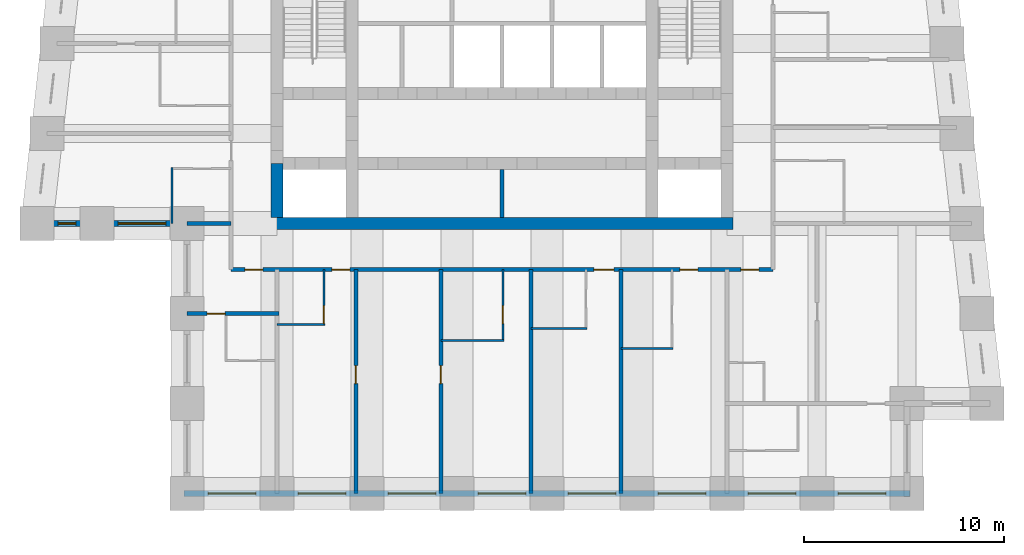
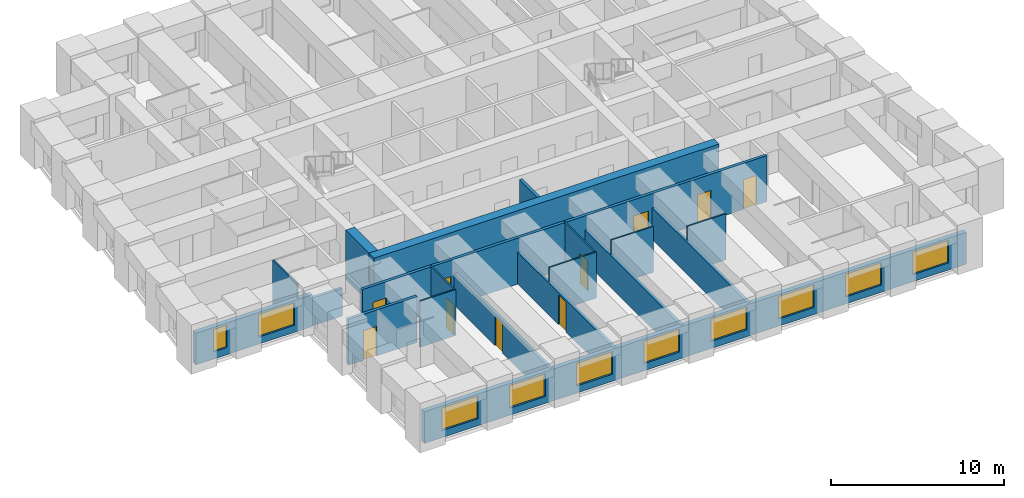
# One storey, part 2 of 8: 19 walls, 10 doors, 10 windows, 20 openings.
"""IFC4 building model written with IfcOpenShell, lengths in metres."""

from ifc_helpers import new_model, si_unit, direction, frame, frame_2d, origin, place, context, subcontext, project, spatial, rectangle, extrude, material, layer, layer_set, type_object, element, fill, save


model = new_model("IFC4")

# Units and contexts
model_context = context("Model", 3, precision=1e-05, world=origin(), true_north=direction((0.0, 1.0)))
body_context = subcontext(model_context, "Body", "Model", "MODEL_VIEW")
ifc_project = project(units=[si_unit("LENGTHUNIT", "METRE"), si_unit("AREAUNIT", "SQUARE_METRE"), si_unit("VOLUMEUNIT", "CUBIC_METRE"), si_unit("PLANEANGLEUNIT", "RADIAN"), si_unit("MASSUNIT", "GRAM", prefix="KILO")], contexts=[model_context])

# Site, building, storey
site_placement = place(None, origin())
site = spatial("IfcSite", under=ifc_project, at=site_placement, CompositionType="ELEMENT")
building_placement = place(site_placement, origin())
building = spatial("IfcBuilding", under=site, at=building_placement, Name="Kilele Tower Hotel", CompositionType="ELEMENT")
storey_placement = place(building_placement, frame((0.0, 0.0, 172.89990234375)))
storey = spatial("IfcBuildingStorey", under=building, at=storey_placement, Name="L44", CompositionType="ELEMENT", Elevation=172.89990234375)

# Wall
ifc_material_1 = material(Name="Moisture-resistant board")
ifc_layer_1 = layer(ifc_material_1, 0.10009765625)
ifc_layer_set_1 = layer_set([ifc_layer_1], Name="Moisture-resistant board")
wall_type_1 = type_object("IfcWallType", Name="Bathroom partition 100", PredefinedType="PLUMBINGWALL", material=ifc_layer_set_1)
wall_1_placement = place(storey_placement, frame((13.5, 8.449951171875, 0.0), z_axis=(0.0, 0.0, 1.0), x_axis=(1.0, 0.0, 0.0)))
element("IfcWall", 1, at=wall_1_placement, inside=storey, type_object=wall_type_1, Name="Bathroom partition 100 L44", PredefinedType="PLUMBINGWALL", context=body_context, shape_type="SweptSolid", body=[
    extrude(rectangle(XDim=2.39990234375, YDim=0.10009765625, at=frame_2d((1.199951171875, 0.0))), origin(), (0.0, 0.0, 1.0), 3.25),
])

# Wall, opening, door
wall_2_placement = place(storey_placement, frame((15.85009765625, 11.199951171875, 0.0), z_axis=(0.0, 0.0, 1.0), x_axis=(0.0, -1.0, 0.0)))
wall_2 = element("IfcWall", 2, at=wall_2_placement, inside=storey, type_object=wall_type_1, Name="Bathroom partition 100 L44", PredefinedType="PLUMBINGWALL", context=body_context, shape_type="SweptSolid", body=[
    extrude(rectangle(XDim=2.800048828125, YDim=0.10009765625, at=frame_2d((1.39990234375, 0.0))), origin(), (0.0, 0.0, 1.0), 3.25),
])
opening_1_placement = place(wall_2_placement, frame((1.800048828125, 0.0, 0.0)))
opening_1 = element("IfcOpeningElement", 3, at=opening_1_placement, cuts=wall_2, Name="Opening D2A", PredefinedType="OPENING", context=body_context, shape_type="SweptSolid", body=[
    extrude(rectangle(XDim=0.89990234375, YDim=2.10009765625, at=frame_2d((0.449951171875, 1.050048828125))), frame((0.0, 0.06005859375, 0.0), z_axis=(0.0, -1.0, 0.0), x_axis=(1.0, 0.0, 0.0)), (0.0, 0.0, 1.0), 0.1201171875),
])
ifc_material_2 = material(Name="Timber door leaf in hardwood frame", Category="wood")
door_type_1 = type_object("IfcDoorType", Name="Bathroom door 900", OperationType="SINGLE_SWING_LEFT", PredefinedType="DOOR", material=ifc_material_2)
door_1_placement = place(opening_1_placement, origin())
door_1 = element("IfcDoor", 4, at=door_1_placement, inside=storey, type_object=door_type_1, Name="Bathroom door 4401B", OperationType="SINGLE_SWING_RIGHT", OverallHeight=2.10009765625, OverallWidth=0.89990234375, PredefinedType="DOOR", context=body_context, shape_type="SweptSolid", body=[
    extrude(rectangle(XDim=0.89990234375, YDim=2.10009765625, at=frame_2d((0.449951171875, 1.050048828125))), frame((0.0, 0.02490234375, 0.0), z_axis=(0.0, -1.0, 0.0), x_axis=(1.0, 0.0, 0.0)), (0.0, 0.0, 1.0), 0.050048828125),
])
fill(opening_1, door_1)

# Wall
wall_3_placement = place(storey_placement, frame((21.699951171875, 7.64990234375, 0.0), z_axis=(0.0, 0.0, 1.0), x_axis=(1.0, 0.0, 0.0)))
element("IfcWall", 5, at=wall_3_placement, inside=storey, type_object=wall_type_1, Name="Bathroom partition 100 L44", PredefinedType="PLUMBINGWALL", context=body_context, shape_type="SweptSolid", body=[
    extrude(rectangle(XDim=3.150146484375, YDim=0.10009765625, at=frame_2d((1.5751953125, 0.0))), origin(), (0.0, 0.0, 1.0), 3.25),
])

# Wall, opening, door
wall_4_placement = place(storey_placement, frame((24.800048828125, 11.199951171875, 0.0), z_axis=(0.0, 0.0, 1.0), x_axis=(0.0, -1.0, 0.0)))
wall_4 = element("IfcWall", 6, at=wall_4_placement, inside=storey, type_object=wall_type_1, Name="Bathroom partition 100 L44", PredefinedType="PLUMBINGWALL", context=body_context, shape_type="SweptSolid", body=[
    extrude(rectangle(XDim=3.599853515625, YDim=0.10009765625, at=frame_2d((1.7998046875, 0.0))), origin(), (0.0, 0.0, 1.0), 3.25),
])
opening_2_placement = place(wall_4_placement, frame((1.800048828125, 0.0, 0.0)))
opening_2 = element("IfcOpeningElement", 7, at=opening_2_placement, cuts=wall_4, Name="Opening D2A", PredefinedType="OPENING", context=body_context, shape_type="SweptSolid", body=[
    extrude(rectangle(XDim=0.89990234375, YDim=2.10009765625, at=frame_2d((0.449951171875, 1.050048828125))), frame((0.0, 0.06005859375, 0.0), z_axis=(0.0, -1.0, 0.0), x_axis=(1.0, 0.0, 0.0)), (0.0, 0.0, 1.0), 0.1201171875),
])
door_2_placement = place(opening_2_placement, origin())
door_2 = element("IfcDoor", 8, at=door_2_placement, inside=storey, type_object=door_type_1, Name="Bathroom door 4403B", OperationType="SINGLE_SWING_RIGHT", OverallHeight=2.10009765625, OverallWidth=0.89990234375, PredefinedType="DOOR", context=body_context, shape_type="SweptSolid", body=[
    extrude(rectangle(XDim=0.89990234375, YDim=2.10009765625, at=frame_2d((0.449951171875, 1.050048828125))), frame((0.0, 0.02490234375, 0.0), z_axis=(0.0, -1.0, 0.0), x_axis=(1.0, 0.0, 0.0)), (0.0, 0.0, 1.0), 0.050048828125),
])
fill(opening_2, door_2)

# Walls
wall_5_placement = place(storey_placement, frame((26.199951171875, 8.25, 0.0), z_axis=(0.0, 0.0, 1.0), x_axis=(1.0, 0.0, 0.0)))
element("IfcWall", 9, at=wall_5_placement, inside=storey, type_object=wall_type_1, Name="Bathroom partition 100 L44", PredefinedType="PLUMBINGWALL", context=body_context, shape_type="SweptSolid", body=[
    extrude(rectangle(XDim=2.800048828125, YDim=0.10009765625, at=frame_2d((1.39990234375, 0.0))), origin(), (0.0, 0.0, 1.0), 3.25),
])
wall_6_placement = place(storey_placement, frame((30.699951171875, 7.25, 0.0), z_axis=(0.0, 0.0, 1.0), x_axis=(1.0, 0.0, 0.0)))
element("IfcWall", 10, at=wall_6_placement, inside=storey, type_object=wall_type_1, Name="Bathroom partition 100 L44", PredefinedType="PLUMBINGWALL", context=body_context, shape_type="SweptSolid", body=[
    extrude(rectangle(XDim=2.60009765625, YDim=0.10009765625, at=frame_2d((1.300048828125, 0.0))), origin(), (0.0, 0.0, 1.0), 3.25),
])
wall_7_placement = place(storey_placement, frame((8.25, 13.5, 0.0), z_axis=(0.0, 0.0, 1.0), x_axis=(0.0, 1.0, 0.0)))
element("IfcWall", 11, at=wall_7_placement, inside=storey, type_object=wall_type_1, Name="Bathroom partition 100 L44", PredefinedType="PLUMBINGWALL", context=body_context, shape_type="SweptSolid", body=[
    extrude(rectangle(XDim=2.800048828125, YDim=0.10009765625, at=frame_2d((1.39990234375, 0.0))), origin(), (0.0, 0.0, 1.0), 3.25),
])
ifc_material_3 = material(Name="Concrete C70/85", Category="concrete")
ifc_layer_2 = layer(ifc_material_3, 0.60009765625)
ifc_layer_set_2 = layer_set([ifc_layer_2], Name="Concrete C70/85")
wall_type_2 = type_object("IfcWallType", Name="Core wall 600 C70/85", PredefinedType="SHEAR", material=ifc_layer_set_2)
wall_8_placement = place(storey_placement, frame((13.199951171875, 13.5, 0.0), z_axis=(0.0, 0.0, 1.0), x_axis=(1.0, 0.0, 0.0)))
element("IfcWall", 12, at=wall_8_placement, inside=storey, type_object=wall_type_2, Name="Core wall S L44", PredefinedType="SHEAR", context=body_context, shape_type="SweptSolid", body=[
    extrude(rectangle(XDim=23.10009765625, YDim=0.60009765625, at=frame_2d((11.550048828125, 0.0))), origin(), (0.0, 0.0, 1.0), 3.5),
])
wall_9_placement = place(storey_placement, frame((13.5, 16.5, 0.0), z_axis=(0.0, 0.0, 1.0), x_axis=(0.0, -1.0, 0.0)))
element("IfcWall", 13, at=wall_9_placement, inside=storey, type_object=wall_type_2, Name="Core wall W3 L44", PredefinedType="SHEAR", context=body_context, shape_type="SweptSolid", body=[
    extrude(rectangle(XDim=2.699951171875, YDim=0.60009765625, at=frame_2d((1.35009765625, 0.0))), origin(), (0.0, 0.0, 1.0), 3.5),
])

# Wall, openings, doors
ifc_material_4 = material(Name="Blockwork, plastered both sides", Category="masonry")
ifc_layer_3 = layer(ifc_material_4, 0.199951171875)
ifc_layer_set_3 = layer_set([ifc_layer_3], Name="Blockwork, plastered both sides")
wall_type_3 = type_object("IfcWallType", Name="Corridor wall 200", PredefinedType="PARTITIONING", material=ifc_layer_set_3)
wall_10_placement = place(storey_placement, frame((11.199951171875, 11.199951171875, 0.0), z_axis=(0.0, 0.0, 1.0), x_axis=(1.0, 0.0, 0.0)))
wall_10 = element("IfcWall", 14, at=wall_10_placement, inside=storey, type_object=wall_type_3, Name="Corridor wall 200 L44", PredefinedType="PARTITIONING", context=body_context, shape_type="SweptSolid", body=[
    extrude(rectangle(XDim=27.10009765625, YDim=0.199951171875, at=frame_2d((13.550048828125, 0.0))), origin(), (0.0, 0.0, 1.0), 3.25),
])
opening_3_placement = place(wall_10_placement, frame((5.949951171875, 0.0, 0.0), z_axis=(0.0, 0.0, 1.0), x_axis=(-1.0, 0.0, 0.0)))
opening_3 = element("IfcOpeningElement", 15, at=opening_3_placement, cuts=wall_10, Name="Opening D1", PredefinedType="OPENING", context=body_context, shape_type="SweptSolid", body=[
    extrude(rectangle(XDim=0.89990234375, YDim=2.10009765625, at=frame_2d((0.449951171875, 1.050048828125))), frame((0.0, 0.10986328125, 0.0), z_axis=(0.0, -1.0, 0.0), x_axis=(1.0, 0.0, 0.0)), (0.0, 0.0, 1.0), 0.219970703125),
])
opening_4_placement = place(wall_10_placement, frame((19.14990234375, 0.0, 0.0), z_axis=(0.0, 0.0, 1.0), x_axis=(-1.0, 0.0, 0.0)))
opening_4 = element("IfcOpeningElement", 16, at=opening_4_placement, cuts=wall_10, Name="Opening D1A", PredefinedType="OPENING", context=body_context, shape_type="SweptSolid", body=[
    extrude(rectangle(XDim=1.0, YDim=2.10009765625, at=frame_2d((0.5, 1.050048828125))), frame((0.0, 0.10986328125, 0.0), z_axis=(0.0, -1.0, 0.0), x_axis=(1.0, 0.0, 0.0)), (0.0, 0.0, 1.0), 0.219970703125),
])
opening_5_placement = place(wall_10_placement, frame((23.349853515625, 0.0, 0.0), z_axis=(0.0, 0.0, 1.0), x_axis=(-1.0, 0.0, 0.0)))
opening_5 = element("IfcOpeningElement", 17, at=opening_5_placement, cuts=wall_10, Name="Opening D1", PredefinedType="OPENING", context=body_context, shape_type="SweptSolid", body=[
    extrude(rectangle(XDim=0.89990234375, YDim=2.10009765625, at=frame_2d((0.449951171875, 1.050048828125))), frame((0.0, 0.10986328125, 0.0), z_axis=(0.0, -1.0, 0.0), x_axis=(1.0, 0.0, 0.0)), (0.0, 0.0, 1.0), 0.219970703125),
])
opening_6_placement = place(wall_10_placement, frame((1.599853515625, 0.0, 0.0), z_axis=(0.0, 0.0, 1.0), x_axis=(-1.0, 0.0, 0.0)))
opening_6 = element("IfcOpeningElement", 18, at=opening_6_placement, cuts=wall_10, Name="Opening D1", PredefinedType="OPENING", context=body_context, shape_type="SweptSolid", body=[
    extrude(rectangle(XDim=0.89990234375, YDim=2.10009765625, at=frame_2d((0.449951171875, 1.050048828125))), frame((0.0, 0.10986328125, 0.0), z_axis=(0.0, -1.0, 0.0), x_axis=(1.0, 0.0, 0.0)), (0.0, 0.0, 1.0), 0.219970703125),
])
opening_7_placement = place(wall_10_placement, frame((26.39990234375, 0.0, 0.0), z_axis=(0.0, 0.0, 1.0), x_axis=(-1.0, 0.0, 0.0)))
opening_7 = element("IfcOpeningElement", 19, at=opening_7_placement, cuts=wall_10, Name="Opening D1", PredefinedType="OPENING", context=body_context, shape_type="SweptSolid", body=[
    extrude(rectangle(XDim=0.89990234375, YDim=2.10009765625, at=frame_2d((0.449951171875, 1.050048828125))), frame((0.0, 0.10986328125, 0.0), z_axis=(0.0, -1.0, 0.0), x_axis=(1.0, 0.0, 0.0)), (0.0, 0.0, 1.0), 0.219970703125),
])
ifc_material_5 = material(Name="Timber door leaf in hardwood frame", Category="wood")
door_type_2 = type_object("IfcDoorType", Name="Guest room entrance door 1000", OperationType="SINGLE_SWING_LEFT", PredefinedType="DOOR", material=ifc_material_5)
door_3_placement = place(opening_4_placement, origin())
door_3 = element("IfcDoor", 20, at=door_3_placement, inside=storey, type_object=door_type_2, Name="Room entrance 4404", OperationType="SINGLE_SWING_LEFT", OverallHeight=2.10009765625, OverallWidth=1.0, PredefinedType="DOOR", context=body_context, shape_type="SweptSolid", body=[
    extrude(rectangle(XDim=1.0, YDim=2.10009765625, at=frame_2d((0.5, 1.050048828125))), frame((0.0, 0.02490234375, 0.0), z_axis=(0.0, -1.0, 0.0), x_axis=(1.0, 0.0, 0.0)), (0.0, 0.0, 1.0), 0.050048828125),
])
fill(opening_4, door_3)
ifc_material_6 = material(Name="Timber door leaf in hardwood frame", Category="wood")
door_type_3 = type_object("IfcDoorType", Name="Guest room entrance door 900", OperationType="SINGLE_SWING_LEFT", PredefinedType="DOOR", material=ifc_material_6)
door_4_placement = place(opening_3_placement, origin())
door_4 = element("IfcDoor", 21, at=door_4_placement, inside=storey, type_object=door_type_3, Name="Room entrance 4401", OperationType="SINGLE_SWING_LEFT", OverallHeight=2.10009765625, OverallWidth=0.89990234375, PredefinedType="DOOR", context=body_context, shape_type="SweptSolid", body=[
    extrude(rectangle(XDim=0.89990234375, YDim=2.10009765625, at=frame_2d((0.449951171875, 1.050048828125))), frame((0.0, 0.02490234375, 0.0), z_axis=(0.0, -1.0, 0.0), x_axis=(1.0, 0.0, 0.0)), (0.0, 0.0, 1.0), 0.050048828125),
])
fill(opening_3, door_4)
door_5_placement = place(opening_5_placement, origin())
door_5 = element("IfcDoor", 22, at=door_5_placement, inside=storey, type_object=door_type_3, Name="Room entrance 4405", OperationType="SINGLE_SWING_RIGHT", OverallHeight=2.10009765625, OverallWidth=0.89990234375, PredefinedType="DOOR", context=body_context, shape_type="SweptSolid", body=[
    extrude(rectangle(XDim=0.89990234375, YDim=2.10009765625, at=frame_2d((0.449951171875, 1.050048828125))), frame((0.0, 0.02490234375, 0.0), z_axis=(0.0, -1.0, 0.0), x_axis=(1.0, 0.0, 0.0)), (0.0, 0.0, 1.0), 0.050048828125),
])
fill(opening_5, door_5)
door_6_placement = place(opening_6_placement, origin())
door_6 = element("IfcDoor", 23, at=door_6_placement, inside=storey, type_object=door_type_3, Name="Room entrance 4417", OperationType="SINGLE_SWING_LEFT", OverallHeight=2.10009765625, OverallWidth=0.89990234375, PredefinedType="DOOR", context=body_context, shape_type="SweptSolid", body=[
    extrude(rectangle(XDim=0.89990234375, YDim=2.10009765625, at=frame_2d((0.449951171875, 1.050048828125))), frame((0.0, 0.02490234375, 0.0), z_axis=(0.0, -1.0, 0.0), x_axis=(1.0, 0.0, 0.0)), (0.0, 0.0, 1.0), 0.050048828125),
])
fill(opening_6, door_6)
door_7_placement = place(opening_7_placement, origin())
door_7 = element("IfcDoor", 24, at=door_7_placement, inside=storey, type_object=door_type_3, Name="Room entrance 4419", OperationType="SINGLE_SWING_RIGHT", OverallHeight=2.10009765625, OverallWidth=0.89990234375, PredefinedType="DOOR", context=body_context, shape_type="SweptSolid", body=[
    extrude(rectangle(XDim=0.89990234375, YDim=2.10009765625, at=frame_2d((0.449951171875, 1.050048828125))), frame((0.0, 0.02490234375, 0.0), z_axis=(0.0, -1.0, 0.0), x_axis=(1.0, 0.0, 0.0)), (0.0, 0.0, 1.0), 0.050048828125),
])
fill(opening_7, door_7)

# Wall, opening, door
ifc_material_7 = material(Name="Blockwork, plastered both sides", Category="masonry")
ifc_layer_4 = layer(ifc_material_7, 0.199951171875)
ifc_layer_set_4 = layer_set([ifc_layer_4], Name="Blockwork, plastered both sides")
wall_type_4 = type_object("IfcWallType", Name="Party wall 200", PredefinedType="PARTITIONING", material=ifc_layer_set_4)
wall_11_placement = place(storey_placement, frame((17.449951171875, 11.199951171875, 0.0), z_axis=(0.0, 0.0, 1.0), x_axis=(0.0, -1.0, 0.0)))
wall_11 = element("IfcWall", 25, at=wall_11_placement, inside=storey, type_object=wall_type_4, Name="Party wall 200 L44", PredefinedType="PARTITIONING", context=body_context, shape_type="SweptSolid", body=[
    extrude(rectangle(XDim=11.199951171875, YDim=0.199951171875, at=frame_2d((5.60009765625, 0.0))), origin(), (0.0, 0.0, 1.0), 2.25),
])
opening_8_placement = place(wall_11_placement, frame((4.800048828125, 0.0, 0.0)))
opening_8 = element("IfcOpeningElement", 26, at=opening_8_placement, cuts=wall_11, Name="Opening D3", PredefinedType="OPENING", context=body_context, shape_type="SweptSolid", body=[
    extrude(rectangle(XDim=0.89990234375, YDim=2.10009765625, at=frame_2d((0.449951171875, 1.050048828125))), frame((0.0, 0.10986328125, 0.0), z_axis=(0.0, -1.0, 0.0), x_axis=(1.0, 0.0, 0.0)), (0.0, 0.0, 1.0), 0.219970703125),
])
ifc_material_8 = material(Name="Timber door leaf in hardwood frame", Category="wood")
door_type_4 = type_object("IfcDoorType", Name="Suite internal door 900", OperationType="SINGLE_SWING_LEFT", PredefinedType="DOOR", material=ifc_material_8)
door_8_placement = place(opening_8_placement, origin())
door_8 = element("IfcDoor", 27, at=door_8_placement, inside=storey, type_object=door_type_4, Name="Suite door 4402", OperationType="SINGLE_SWING_LEFT", OverallHeight=2.10009765625, OverallWidth=0.89990234375, PredefinedType="DOOR", context=body_context, shape_type="SweptSolid", body=[
    extrude(rectangle(XDim=0.89990234375, YDim=2.10009765625, at=frame_2d((0.449951171875, 1.050048828125))), frame((0.0, 0.02490234375, 0.0), z_axis=(0.0, -1.0, 0.0), x_axis=(1.0, 0.0, 0.0)), (0.0, 0.0, 1.0), 0.050048828125),
])
fill(opening_8, door_8)

wall_12_placement = place(storey_placement, frame((21.699951171875, 11.199951171875, 0.0), z_axis=(0.0, 0.0, 1.0), x_axis=(0.0, -1.0, 0.0)))
wall_12 = element("IfcWall", 28, at=wall_12_placement, inside=storey, type_object=wall_type_4, Name="Party wall 200 L44", PredefinedType="PARTITIONING", context=body_context, shape_type="SweptSolid", body=[
    extrude(rectangle(XDim=11.199951171875, YDim=0.199951171875, at=frame_2d((5.60009765625, 0.0))), origin(), (0.0, 0.0, 1.0), 2.25),
])
opening_9_placement = place(wall_12_placement, frame((4.800048828125, 0.0, 0.0)))
opening_9 = element("IfcOpeningElement", 29, at=opening_9_placement, cuts=wall_12, Name="Opening D3", PredefinedType="OPENING", context=body_context, shape_type="SweptSolid", body=[
    extrude(rectangle(XDim=0.89990234375, YDim=2.10009765625, at=frame_2d((0.449951171875, 1.050048828125))), frame((0.0, 0.10986328125, 0.0), z_axis=(0.0, -1.0, 0.0), x_axis=(1.0, 0.0, 0.0)), (0.0, 0.0, 1.0), 0.219970703125),
])
door_9_placement = place(opening_9_placement, origin())
door_9 = element("IfcDoor", 30, at=door_9_placement, inside=storey, type_object=door_type_4, Name="Suite door 4403", OperationType="SINGLE_SWING_LEFT", OverallHeight=2.10009765625, OverallWidth=0.89990234375, PredefinedType="DOOR", context=body_context, shape_type="SweptSolid", body=[
    extrude(rectangle(XDim=0.89990234375, YDim=2.10009765625, at=frame_2d((0.449951171875, 1.050048828125))), frame((0.0, 0.02490234375, 0.0), z_axis=(0.0, -1.0, 0.0), x_axis=(1.0, 0.0, 0.0)), (0.0, 0.0, 1.0), 0.050048828125),
])
fill(opening_9, door_9)

# Walls
for number, where, z_axis, x_axis, name in (
    (31, (26.199951171875, 11.199951171875, 0.0), (0.0, 0.0, 1.0), (0.0, -1.0, 0.0), "Party wall 200 L44"),
    (32, (30.699951171875, 11.199951171875, 0.0), (0.0, 0.0, 1.0), (0.0, -1.0, 0.0), "Party wall 200 L44"),
):
    element("IfcWall", number, at=place(storey_placement, frame(where, z_axis=z_axis, x_axis=x_axis)), inside=storey, type_object=wall_type_4, Name=name, PredefinedType="PARTITIONING", context=body_context, shape_type="SweptSolid", body=[
        extrude(rectangle(XDim=11.199951171875, YDim=0.199951171875, at=frame_2d((5.60009765625, 0.0))), origin(), (0.0, 0.0, 1.0), 2.25),
    ])
wall_13_placement = place(storey_placement, frame((11.199951171875, 13.5, 0.0), z_axis=(0.0, 0.0, 1.0), x_axis=(-1.0, 0.0, 0.0)))
element("IfcWall", 33, at=wall_13_placement, inside=storey, type_object=wall_type_4, Name="Party wall 200 L44", PredefinedType="PARTITIONING", context=body_context, shape_type="SweptSolid", body=[
    extrude(rectangle(XDim=2.199951171875, YDim=0.199951171875, at=frame_2d((1.10009765625, 0.0))), origin(), (0.0, 0.0, 1.0), 1.9501953125),
])

# Wall, opening, door
wall_14_placement = place(storey_placement, frame((13.60009765625, 9.0, 0.0), z_axis=(0.0, 0.0, 1.0), x_axis=(-1.0, 0.0, 0.0)))
wall_14 = element("IfcWall", 34, at=wall_14_placement, inside=storey, type_object=wall_type_4, Name="Party wall 200 L44", PredefinedType="PARTITIONING", context=body_context, shape_type="SweptSolid", body=[
    extrude(rectangle(XDim=4.60009765625, YDim=0.199951171875, at=frame_2d((2.300048828125, 0.0))), origin(), (0.0, 0.0, 1.0), 3.25),
])
opening_10_placement = place(wall_14_placement, frame((2.699951171875, 0.0, 0.0)))
opening_10 = element("IfcOpeningElement", 35, at=opening_10_placement, cuts=wall_14, Name="Opening D3", PredefinedType="OPENING", context=body_context, shape_type="SweptSolid", body=[
    extrude(rectangle(XDim=0.89990234375, YDim=2.10009765625, at=frame_2d((0.449951171875, 1.050048828125))), frame((0.0, 0.10986328125, 0.0), z_axis=(0.0, -1.0, 0.0), x_axis=(1.0, 0.0, 0.0)), (0.0, 0.0, 1.0), 0.219970703125),
])
door_10_placement = place(opening_10_placement, origin())
door_10 = element("IfcDoor", 36, at=door_10_placement, inside=storey, type_object=door_type_4, Name="Suite door 4418", OperationType="SINGLE_SWING_LEFT", OverallHeight=2.10009765625, OverallWidth=0.89990234375, PredefinedType="DOOR", context=body_context, shape_type="SweptSolid", body=[
    extrude(rectangle(XDim=0.89990234375, YDim=2.10009765625, at=frame_2d((0.449951171875, 1.050048828125))), frame((0.0, 0.02490234375, 0.0), z_axis=(0.0, -1.0, 0.0), x_axis=(1.0, 0.0, 0.0)), (0.0, 0.0, 1.0), 0.050048828125),
])
fill(opening_10, door_10)

# Wall, openings, windows
ifc_material_9 = material(Name="Concrete C40/50 precast", Category="concrete")
ifc_layer_5 = layer(ifc_material_9, 0.260009765625, Name="Precast backing", Category="LoadBearing")
ifc_material_10 = material(Name="Reconstituted stone finish", Category="masonry")
ifc_layer_6 = layer(ifc_material_10, 0.0400390625, Name="Face mix", Category="Finish")
ifc_layer_set_5 = layer_set([ifc_layer_5, ifc_layer_6], Name="Precast concrete C40/50, reconstituted stone finish")
wall_type_5 = type_object("IfcWallType", Name="Precast stone facade wall 300", PredefinedType="STANDARD", material=ifc_layer_set_5)
wall_15_placement = place(storey_placement, frame((1.35009765625, 13.5, 0.0), z_axis=(0.0, 0.0, 1.0), x_axis=(1.0, 0.0, 0.0)))
wall_15 = element("IfcWall", 37, at=wall_15_placement, inside=storey, type_object=wall_type_5, Name="Facade wall L44 edge 1", PredefinedType="STANDARD", context=body_context, shape_type="SweptSolid", body=[
    extrude(rectangle(XDim=7.7998046875, YDim=0.300048828125, at=frame_2d((3.89990234375, 0.0))), origin(), (0.0, 0.0, 1.0), 2.25),
])
opening_11_placement = place(wall_15_placement, frame((1.199951171875, 0.0, 0.5)))
opening_11 = element("IfcOpeningElement", 38, at=opening_11_placement, cuts=wall_15, Name="Opening W3", PredefinedType="OPENING", context=body_context, shape_type="SweptSolid", body=[
    extrude(rectangle(XDim=0.89990234375, YDim=1.60009765625, at=frame_2d((0.449951171875, 0.800048828125))), frame((0.0, 0.159912109375, 0.0), z_axis=(0.0, -1.0, 0.0), x_axis=(1.0, 0.0, 0.0)), (0.0, 0.0, 1.0), 0.320068359375),
])
opening_12_placement = place(wall_15_placement, frame((4.199951171875, 0.0, 0.5)))
opening_12 = element("IfcOpeningElement", 39, at=opening_12_placement, cuts=wall_15, Name="Opening W3", PredefinedType="OPENING", context=body_context, shape_type="SweptSolid", body=[
    extrude(rectangle(XDim=2.39990234375, YDim=1.60009765625, at=frame_2d((1.199951171875, 0.800048828125))), frame((0.0, 0.159912109375, 0.0), z_axis=(0.0, -1.0, 0.0), x_axis=(1.0, 0.0, 0.0)), (0.0, 0.0, 1.0), 0.320068359375),
])
ifc_material_11 = material(Name="Aluminium frame, clear double glazing", Category="aluminium")
window_type_1 = type_object("IfcWindowType", Name="Window W3 2400 x 1600", PartitioningType="SINGLE_PANEL", PredefinedType="WINDOW", material=ifc_material_11)
window_1_placement = place(opening_12_placement, origin())
window_1 = element("IfcWindow", 40, at=window_1_placement, inside=storey, type_object=window_type_1, Name="Window L44", OverallHeight=1.60009765625, OverallWidth=2.39990234375, PartitioningType="SINGLE_PANEL", PredefinedType="WINDOW", context=body_context, shape_type="SweptSolid", body=[
    extrude(rectangle(XDim=2.39990234375, YDim=1.60009765625, at=frame_2d((1.199951171875, 0.800048828125))), frame((0.0, 0.030029296875, 0.0), z_axis=(0.0, -1.0, 0.0), x_axis=(1.0, 0.0, 0.0)), (0.0, 0.0, 1.0), 0.06005859375),
])
fill(opening_12, window_1)
ifc_material_12 = material(Name="Aluminium frame, clear double glazing", Category="aluminium")
window_type_2 = type_object("IfcWindowType", Name="Window W3 900 x 1600", PartitioningType="SINGLE_PANEL", PredefinedType="WINDOW", material=ifc_material_12)
window_2_placement = place(opening_11_placement, origin())
window_2 = element("IfcWindow", 41, at=window_2_placement, inside=storey, type_object=window_type_2, Name="Window L44", OverallHeight=1.60009765625, OverallWidth=0.89990234375, PartitioningType="SINGLE_PANEL", PredefinedType="WINDOW", context=body_context, shape_type="SweptSolid", body=[
    extrude(rectangle(XDim=0.89990234375, YDim=1.60009765625, at=frame_2d((0.449951171875, 0.800048828125))), frame((0.0, 0.030029296875, 0.0), z_axis=(0.0, -1.0, 0.0), x_axis=(1.0, 0.0, 0.0)), (0.0, 0.0, 1.0), 0.06005859375),
])
fill(opening_11, window_2)

wall_16_placement = place(storey_placement, frame((8.85009765625, 0.0, 0.0), z_axis=(0.0, 0.0, 1.0), x_axis=(1.0, 0.0, 0.0)))
wall_16 = element("IfcWall", 42, at=wall_16_placement, inside=storey, type_object=wall_type_5, Name="Facade wall L44 edge 3", PredefinedType="STANDARD", context=body_context, shape_type="SweptSolid", body=[
    extrude(rectangle(XDim=36.2998046875, YDim=0.300048828125, at=frame_2d((18.14990234375, 0.0))), origin(), (0.0, 0.0, 1.0), 2.25),
])
opening_13_placement = place(wall_16_placement, frame((1.199951171875, 0.0, 0.5)))
opening_13 = element("IfcOpeningElement", 43, at=opening_13_placement, cuts=wall_16, Name="Opening W3", PredefinedType="OPENING", context=body_context, shape_type="SweptSolid", body=[
    extrude(rectangle(XDim=2.39990234375, YDim=1.60009765625, at=frame_2d((1.199951171875, 0.800048828125))), frame((0.0, 0.159912109375, 0.0), z_axis=(0.0, -1.0, 0.0), x_axis=(1.0, 0.0, 0.0)), (0.0, 0.0, 1.0), 0.320068359375),
])
opening_14_placement = place(wall_16_placement, frame((5.699951171875, 0.0, 0.5)))
opening_14 = element("IfcOpeningElement", 44, at=opening_14_placement, cuts=wall_16, Name="Opening W3", PredefinedType="OPENING", context=body_context, shape_type="SweptSolid", body=[
    extrude(rectangle(XDim=2.39990234375, YDim=1.60009765625, at=frame_2d((1.199951171875, 0.800048828125))), frame((0.0, 0.159912109375, 0.0), z_axis=(0.0, -1.0, 0.0), x_axis=(1.0, 0.0, 0.0)), (0.0, 0.0, 1.0), 0.320068359375),
])
opening_15_placement = place(wall_16_placement, frame((10.199951171875, 0.0, 0.5)))
opening_15 = element("IfcOpeningElement", 45, at=opening_15_placement, cuts=wall_16, Name="Opening W3", PredefinedType="OPENING", context=body_context, shape_type="SweptSolid", body=[
    extrude(rectangle(XDim=2.39990234375, YDim=1.60009765625, at=frame_2d((1.199951171875, 0.800048828125))), frame((0.0, 0.159912109375, 0.0), z_axis=(0.0, -1.0, 0.0), x_axis=(1.0, 0.0, 0.0)), (0.0, 0.0, 1.0), 0.320068359375),
])
opening_16_placement = place(wall_16_placement, frame((14.699951171875, 0.0, 0.5)))
opening_16 = element("IfcOpeningElement", 46, at=opening_16_placement, cuts=wall_16, Name="Opening W3", PredefinedType="OPENING", context=body_context, shape_type="SweptSolid", body=[
    extrude(rectangle(XDim=2.39990234375, YDim=1.60009765625, at=frame_2d((1.199951171875, 0.800048828125))), frame((0.0, 0.159912109375, 0.0), z_axis=(0.0, -1.0, 0.0), x_axis=(1.0, 0.0, 0.0)), (0.0, 0.0, 1.0), 0.320068359375),
])
opening_17_placement = place(wall_16_placement, frame((19.199951171875, 0.0, 0.5)))
opening_17 = element("IfcOpeningElement", 47, at=opening_17_placement, cuts=wall_16, Name="Opening W3", PredefinedType="OPENING", context=body_context, shape_type="SweptSolid", body=[
    extrude(rectangle(XDim=2.39990234375, YDim=1.60009765625, at=frame_2d((1.199951171875, 0.800048828125))), frame((0.0, 0.159912109375, 0.0), z_axis=(0.0, -1.0, 0.0), x_axis=(1.0, 0.0, 0.0)), (0.0, 0.0, 1.0), 0.320068359375),
])
opening_18_placement = place(wall_16_placement, frame((23.699951171875, 0.0, 0.5)))
opening_18 = element("IfcOpeningElement", 48, at=opening_18_placement, cuts=wall_16, Name="Opening W3", PredefinedType="OPENING", context=body_context, shape_type="SweptSolid", body=[
    extrude(rectangle(XDim=2.39990234375, YDim=1.60009765625, at=frame_2d((1.199951171875, 0.800048828125))), frame((0.0, 0.159912109375, 0.0), z_axis=(0.0, -1.0, 0.0), x_axis=(1.0, 0.0, 0.0)), (0.0, 0.0, 1.0), 0.320068359375),
])
opening_19_placement = place(wall_16_placement, frame((28.199951171875, 0.0, 0.5)))
opening_19 = element("IfcOpeningElement", 49, at=opening_19_placement, cuts=wall_16, Name="Opening W3", PredefinedType="OPENING", context=body_context, shape_type="SweptSolid", body=[
    extrude(rectangle(XDim=2.39990234375, YDim=1.60009765625, at=frame_2d((1.199951171875, 0.800048828125))), frame((0.0, 0.159912109375, 0.0), z_axis=(0.0, -1.0, 0.0), x_axis=(1.0, 0.0, 0.0)), (0.0, 0.0, 1.0), 0.320068359375),
])
opening_20_placement = place(wall_16_placement, frame((32.699951171875, 0.0, 0.5)))
opening_20 = element("IfcOpeningElement", 50, at=opening_20_placement, cuts=wall_16, Name="Opening W3", PredefinedType="OPENING", context=body_context, shape_type="SweptSolid", body=[
    extrude(rectangle(XDim=2.39990234375, YDim=1.60009765625, at=frame_2d((1.199951171875, 0.800048828125))), frame((0.0, 0.159912109375, 0.0), z_axis=(0.0, -1.0, 0.0), x_axis=(1.0, 0.0, 0.0)), (0.0, 0.0, 1.0), 0.320068359375),
])
window_3_placement = place(opening_13_placement, origin())
window_3 = element("IfcWindow", 51, at=window_3_placement, inside=storey, type_object=window_type_1, Name="Window L44", OverallHeight=1.60009765625, OverallWidth=2.39990234375, PartitioningType="SINGLE_PANEL", PredefinedType="WINDOW", context=body_context, shape_type="SweptSolid", body=[
    extrude(rectangle(XDim=2.39990234375, YDim=1.60009765625, at=frame_2d((1.199951171875, 0.800048828125))), frame((0.0, 0.030029296875, 0.0), z_axis=(0.0, -1.0, 0.0), x_axis=(1.0, 0.0, 0.0)), (0.0, 0.0, 1.0), 0.06005859375),
])
fill(opening_13, window_3)
window_4_placement = place(opening_14_placement, origin())
window_4 = element("IfcWindow", 52, at=window_4_placement, inside=storey, type_object=window_type_1, Name="Window L44", OverallHeight=1.60009765625, OverallWidth=2.39990234375, PartitioningType="SINGLE_PANEL", PredefinedType="WINDOW", context=body_context, shape_type="SweptSolid", body=[
    extrude(rectangle(XDim=2.39990234375, YDim=1.60009765625, at=frame_2d((1.199951171875, 0.800048828125))), frame((0.0, 0.030029296875, 0.0), z_axis=(0.0, -1.0, 0.0), x_axis=(1.0, 0.0, 0.0)), (0.0, 0.0, 1.0), 0.06005859375),
])
fill(opening_14, window_4)
window_5_placement = place(opening_15_placement, origin())
window_5 = element("IfcWindow", 53, at=window_5_placement, inside=storey, type_object=window_type_1, Name="Window L44", OverallHeight=1.60009765625, OverallWidth=2.39990234375, PartitioningType="SINGLE_PANEL", PredefinedType="WINDOW", context=body_context, shape_type="SweptSolid", body=[
    extrude(rectangle(XDim=2.39990234375, YDim=1.60009765625, at=frame_2d((1.199951171875, 0.800048828125))), frame((0.0, 0.030029296875, 0.0), z_axis=(0.0, -1.0, 0.0), x_axis=(1.0, 0.0, 0.0)), (0.0, 0.0, 1.0), 0.06005859375),
])
fill(opening_15, window_5)
window_6_placement = place(opening_16_placement, origin())
window_6 = element("IfcWindow", 54, at=window_6_placement, inside=storey, type_object=window_type_1, Name="Window L44", OverallHeight=1.60009765625, OverallWidth=2.39990234375, PartitioningType="SINGLE_PANEL", PredefinedType="WINDOW", context=body_context, shape_type="SweptSolid", body=[
    extrude(rectangle(XDim=2.39990234375, YDim=1.60009765625, at=frame_2d((1.199951171875, 0.800048828125))), frame((0.0, 0.030029296875, 0.0), z_axis=(0.0, -1.0, 0.0), x_axis=(1.0, 0.0, 0.0)), (0.0, 0.0, 1.0), 0.06005859375),
])
fill(opening_16, window_6)
window_7_placement = place(opening_17_placement, origin())
window_7 = element("IfcWindow", 55, at=window_7_placement, inside=storey, type_object=window_type_1, Name="Window L44", OverallHeight=1.60009765625, OverallWidth=2.39990234375, PartitioningType="SINGLE_PANEL", PredefinedType="WINDOW", context=body_context, shape_type="SweptSolid", body=[
    extrude(rectangle(XDim=2.39990234375, YDim=1.60009765625, at=frame_2d((1.199951171875, 0.800048828125))), frame((0.0, 0.030029296875, 0.0), z_axis=(0.0, -1.0, 0.0), x_axis=(1.0, 0.0, 0.0)), (0.0, 0.0, 1.0), 0.06005859375),
])
fill(opening_17, window_7)
window_8_placement = place(opening_18_placement, origin())
window_8 = element("IfcWindow", 56, at=window_8_placement, inside=storey, type_object=window_type_1, Name="Window L44", OverallHeight=1.60009765625, OverallWidth=2.39990234375, PartitioningType="SINGLE_PANEL", PredefinedType="WINDOW", context=body_context, shape_type="SweptSolid", body=[
    extrude(rectangle(XDim=2.39990234375, YDim=1.60009765625, at=frame_2d((1.199951171875, 0.800048828125))), frame((0.0, 0.030029296875, 0.0), z_axis=(0.0, -1.0, 0.0), x_axis=(1.0, 0.0, 0.0)), (0.0, 0.0, 1.0), 0.06005859375),
])
fill(opening_18, window_8)
window_9_placement = place(opening_19_placement, origin())
window_9 = element("IfcWindow", 57, at=window_9_placement, inside=storey, type_object=window_type_1, Name="Window L44", OverallHeight=1.60009765625, OverallWidth=2.39990234375, PartitioningType="SINGLE_PANEL", PredefinedType="WINDOW", context=body_context, shape_type="SweptSolid", body=[
    extrude(rectangle(XDim=2.39990234375, YDim=1.60009765625, at=frame_2d((1.199951171875, 0.800048828125))), frame((0.0, 0.030029296875, 0.0), z_axis=(0.0, -1.0, 0.0), x_axis=(1.0, 0.0, 0.0)), (0.0, 0.0, 1.0), 0.06005859375),
])
fill(opening_19, window_9)
window_10_placement = place(opening_20_placement, origin())
window_10 = element("IfcWindow", 58, at=window_10_placement, inside=storey, type_object=window_type_1, Name="Window L44", OverallHeight=1.60009765625, OverallWidth=2.39990234375, PartitioningType="SINGLE_PANEL", PredefinedType="WINDOW", context=body_context, shape_type="SweptSolid", body=[
    extrude(rectangle(XDim=2.39990234375, YDim=1.60009765625, at=frame_2d((1.199951171875, 0.800048828125))), frame((0.0, 0.030029296875, 0.0), z_axis=(0.0, -1.0, 0.0), x_axis=(1.0, 0.0, 0.0)), (0.0, 0.0, 1.0), 0.06005859375),
])
fill(opening_20, window_10)

# Wall
ifc_material_13 = material(Name="Blockwork, fire-rated", Category="masonry")
ifc_layer_7 = layer(ifc_material_13, 0.199951171875)
ifc_layer_set_6 = layer_set([ifc_layer_7], Name="Blockwork, fire-rated")
wall_type_6 = type_object("IfcWallType", Name="Shaft wall 200", PredefinedType="PARTITIONING", material=ifc_layer_set_6)
wall_17_placement = place(storey_placement, frame((24.75, 13.800048828125, 0.0), z_axis=(0.0, 0.0, 1.0), x_axis=(0.0, 1.0, 0.0)))
element("IfcWall", 59, at=wall_17_placement, inside=storey, type_object=wall_type_6, Name="Shaft wall 200 L44", PredefinedType="PARTITIONING", context=body_context, shape_type="SweptSolid", body=[
    extrude(rectangle(XDim=2.39990234375, YDim=0.199951171875, at=frame_2d((1.199951171875, 0.0))), origin(), (0.0, 0.0, 1.0), 3.25),
])

save(model, "model.ifc")
